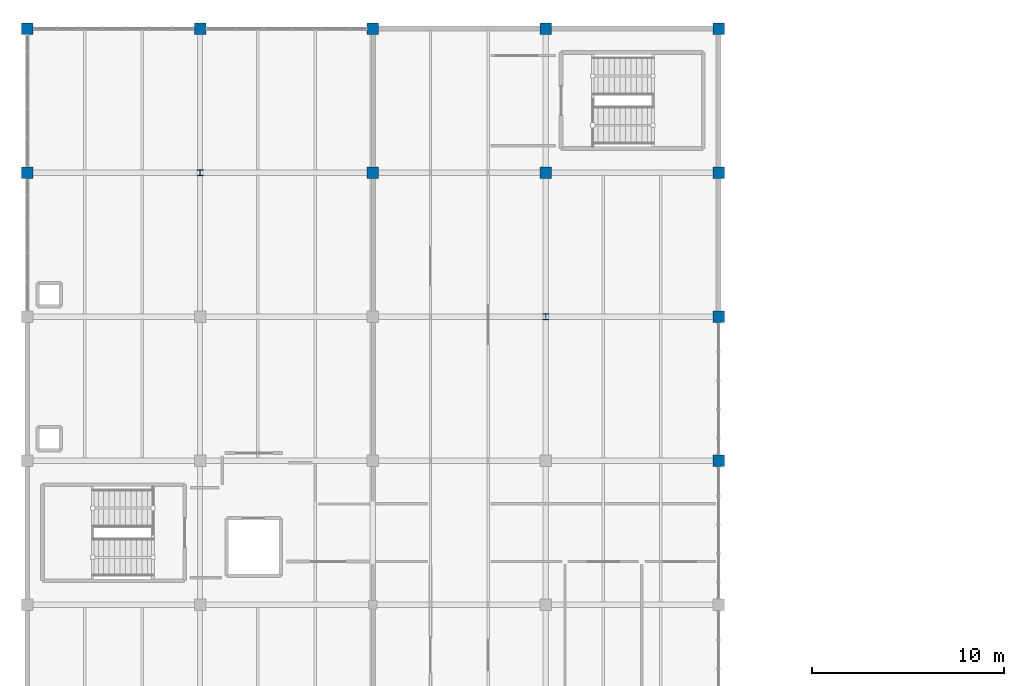
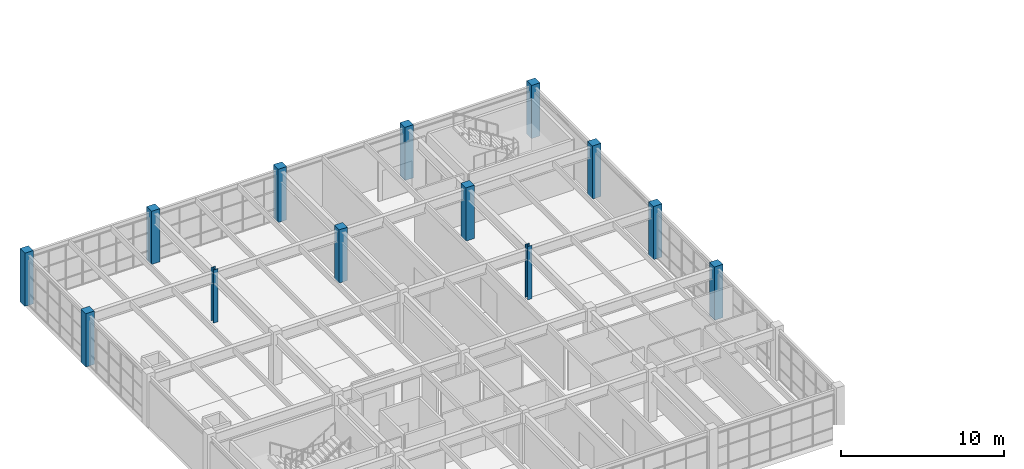
# One storey, part 9 of 76: 13 columns.
"""IFC4 building model written with IfcOpenShell, lengths in metres."""

from ifc_helpers import new_model, si_unit, direction, frame, origin, origin_2d, place, context, subcontext, project, spatial, rectangle, i_section, extrude, material, material_profile, profile_set, type_object, element, save


model = new_model("IFC4")

# Units and contexts
model_context = context("Model", 3, precision=1e-05, world=origin(), true_north=direction((0.0, 1.0)))
body_context = subcontext(model_context, "Body", "Model", "MODEL_VIEW")
ifc_project = project(units=[si_unit("LENGTHUNIT", "METRE"), si_unit("AREAUNIT", "SQUARE_METRE"), si_unit("VOLUMEUNIT", "CUBIC_METRE"), si_unit("PLANEANGLEUNIT", "RADIAN"), si_unit("MASSUNIT", "GRAM", prefix="KILO")], contexts=[model_context])

# Site, building, storey
site_placement = place(None, origin())
site = spatial("IfcSite", under=ifc_project, at=site_placement, CompositionType="ELEMENT")
building_placement = place(site_placement, origin())
building = spatial("IfcBuilding", under=site, at=building_placement, Name="Marnridge Secondary College", CompositionType="ELEMENT")
storey_placement = place(building_placement, frame((0.0, 0.0, 4.5)))
storey = spatial("IfcBuildingStorey", under=building, at=storey_placement, Name="L01", CompositionType="ELEMENT", Elevation=4.5)

# Columns
ifc_material_1 = material(Name="Concrete C40/50 (AS 3600 N40, 40 MPa)", Category="concrete")
ifc_material_profile_1 = material_profile(ifc_material_1, rectangle(XDim=0.60009765625, YDim=0.60009765625, at=origin_2d()), Name="RC 600x600")
ifc_profile_set_1 = profile_set([ifc_material_profile_1], Name="Concrete C40/50 (AS 3600 N40, 40 MPa)")
column_type_1 = type_object("IfcColumnType", Name="CL-RC600-EXT", PredefinedType="COLUMN", material=ifc_profile_set_1)
for number, where, z_axis, x_axis, name in (
    (1, (36.0, 97.5, 0.0), (0.0, 0.0, 1.0), (1.0, 0.0, 0.0), "Column C-L01-0546"),
    (2, (36.0, 105.0, 0.0), (0.0, 0.0, 1.0), (1.0, 0.0, 0.0), "Column C-L01-0572"),
    (3, (0.0, 112.5, 0.0), (0.0, 0.0, 1.0), (1.0, 0.0, 0.0), "Column C-L01-0582"),
    (4, (36.0, 112.5, 0.0), (0.0, 0.0, 1.0), (1.0, 0.0, 0.0), "Column C-L01-0598"),
    (5, (0.0, 120.0, 0.0), (0.0, 0.0, 1.0), (1.0, 0.0, 0.0), "Column C-L01-0608"),
    (6, (9.0, 120.0, 0.0), (0.0, 0.0, 1.0), (1.0, 0.0, 0.0), "Column C-L01-0612"),
    (7, (18.0, 120.0, 0.0), (0.0, 0.0, 1.0), (1.0, 0.0, 0.0), "Column C-L01-0616"),
    (8, (27.0, 120.0, 0.0), (0.0, 0.0, 1.0), (1.0, 0.0, 0.0), "Column C-L01-0620"),
    (9, (36.0, 120.0, 0.0), (0.0, 0.0, 1.0), (1.0, 0.0, 0.0), "Column C-L01-0624"),
):
    element("IfcColumn", number, at=place(storey_placement, frame(where, z_axis=z_axis, x_axis=x_axis)), inside=storey, type_object=column_type_1, Name=name, PredefinedType="COLUMN", context=body_context, shape_type="SweptSolid", body=[
        extrude(rectangle(XDim=0.60009765625, YDim=0.60009765625, at=origin_2d()), origin(), (0.0, 0.0, 1.0), 4.0),
    ])
ifc_material_2 = material(Name="Concrete C40/50 (AS 3600 N40, 40 MPa)", Category="concrete")
ifc_material_profile_2 = material_profile(ifc_material_2, rectangle(XDim=0.60009765625, YDim=0.60009765625, at=origin_2d()), Name="RC 600x600")
ifc_profile_set_2 = profile_set([ifc_material_profile_2], Name="Concrete C40/50 (AS 3600 N40, 40 MPa)")
column_type_2 = type_object("IfcColumnType", Name="CL-RC600-INT", PredefinedType="COLUMN", material=ifc_profile_set_2)
for number, where, z_axis, x_axis, name in (
    (10, (18.0, 112.5, 0.0), (0.0, 0.0, 1.0), (1.0, 0.0, 0.0), "Column C-L01-0590"),
    (11, (27.0, 112.5, 0.0), (0.0, 0.0, 1.0), (1.0, 0.0, 0.0), "Column C-L01-0594"),
):
    element("IfcColumn", number, at=place(storey_placement, frame(where, z_axis=z_axis, x_axis=x_axis)), inside=storey, type_object=column_type_2, Name=name, PredefinedType="COLUMN", context=body_context, shape_type="SweptSolid", body=[
        extrude(rectangle(XDim=0.60009765625, YDim=0.60009765625, at=origin_2d()), origin(), (0.0, 0.0, 1.0), 4.0),
    ])
ifc_material_3 = material(Name="Structural steel Grade 350 (AS/NZS 3679.1/.2, fy = 340-360 MPa)", Category="steel")
ifc_material_profile_3 = material_profile(ifc_material_3, i_section(OverallWidth=0.30908203125, OverallDepth=0.320556640625, WebThickness=0.013916015625, FlangeThickness=0.021728515625, FilletRadius=0.0166015625, at=origin_2d()), Name="310UC137")
ifc_profile_set_3 = profile_set([ifc_material_profile_3], Name="Structural steel Grade 350 (AS/NZS 3679.1/.2, fy = 340-360 MPa)")
column_type_3 = type_object("IfcColumnType", Name="CL-UC310-INT", PredefinedType="COLUMN", material=ifc_profile_set_3)
for number, where, z_axis, x_axis, name in (
    (12, (27.0, 105.0, 0.0), (0.0, 0.0, 1.0), (1.0, 0.0, 0.0), "Column C-L01-0568"),
    (13, (9.0, 112.5, 0.0), (0.0, 0.0, 1.0), (1.0, 0.0, 0.0), "Column C-L01-0586"),
):
    element("IfcColumn", number, at=place(storey_placement, frame(where, z_axis=z_axis, x_axis=x_axis)), inside=storey, type_object=column_type_3, Name=name, PredefinedType="COLUMN", context=body_context, shape_type="SweptSolid", body=[
        extrude(i_section(OverallWidth=0.30908203125, OverallDepth=0.320556640625, WebThickness=0.013916015625, FlangeThickness=0.021728515625, FilletRadius=0.0166015625, at=origin_2d()), origin(), (0.0, 0.0, 1.0), 4.0),
    ])

save(model, "model.ifc")
